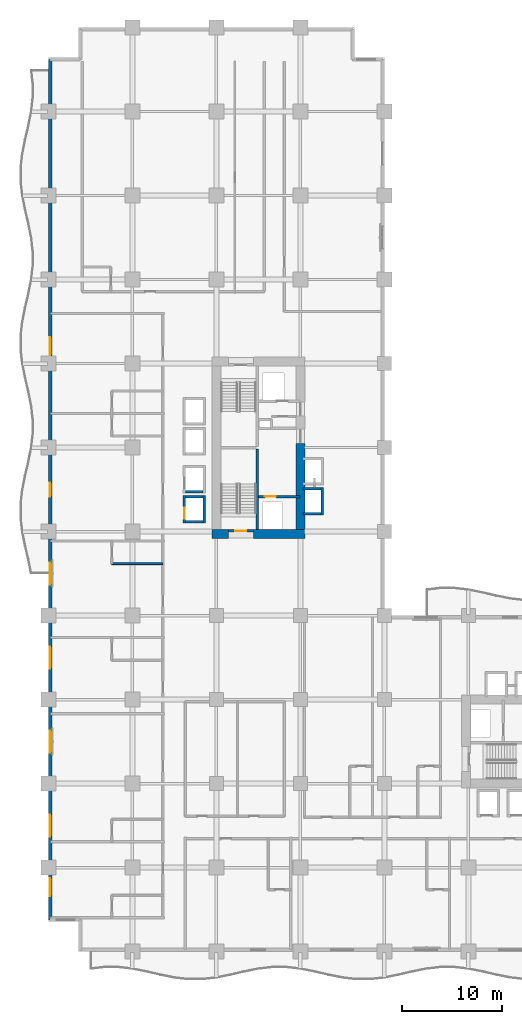
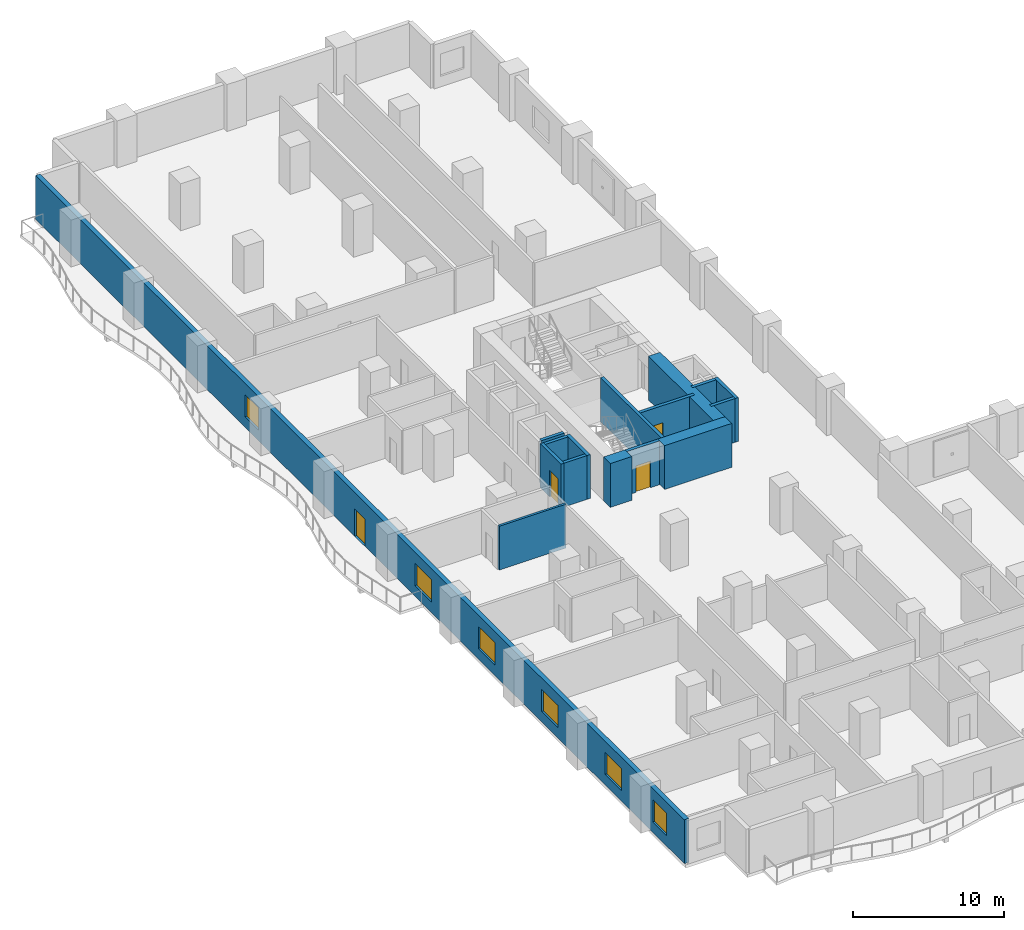
# One storey, part 9 of 20: 16 walls, 6 windows, 4 doors, 10 openings.
"""IFC4 building model written with IfcOpenShell, lengths in metres."""

from ifc_helpers import new_model, si_unit, direction, frame, frame_2d, origin, place, context, subcontext, project, spatial, rectangle, extrude, material, layer, layer_set, type_object, element, fill, save


model = new_model("IFC4")

# Units and contexts
model_context = context("Model", 3, precision=1e-05, world=origin(), true_north=direction((0.0, 1.0)))
body_context = subcontext(model_context, "Body", "Model", "MODEL_VIEW")
ifc_project = project(units=[si_unit("LENGTHUNIT", "METRE"), si_unit("AREAUNIT", "SQUARE_METRE"), si_unit("VOLUMEUNIT", "CUBIC_METRE"), si_unit("PLANEANGLEUNIT", "RADIAN"), si_unit("MASSUNIT", "GRAM", prefix="KILO")], contexts=[model_context])

# Site, building, storey
site_placement = place(None, origin())
site = spatial("IfcSite", under=ifc_project, at=site_placement, CompositionType="ELEMENT")
building_placement = place(site_placement, origin())
building = spatial("IfcBuilding", under=site, at=building_placement, Name="Koriwani Terraces Tower", CompositionType="ELEMENT")
storey_placement = place(building_placement, frame((0.0, 0.0, 66.199951171875)))
storey = spatial("IfcBuildingStorey", under=building, at=storey_placement, Name="L15", CompositionType="ELEMENT", Elevation=66.199951171875)

# Walls
ifc_material_1 = material(Name="Concrete C60/75", Category="concrete")
ifc_layer_1 = layer(ifc_material_1, 0.89990234375, Name="Concrete C60/75")
ifc_layer_set_1 = layer_set([ifc_layer_1], Name="Concrete C60/75")
wall_type_1 = type_object("IfcWallType", Name="WALL_CORE_RC_900", PredefinedType="SHEAR", material=ifc_layer_set_1)
wall_1_placement = place(storey_placement, frame((16.35009765625, 41.75, 0.0), z_axis=(0.0, 0.0, 1.0), x_axis=(1.0, 0.0, 0.0)))
element("IfcWall", 1, at=wall_1_placement, inside=storey, type_object=wall_type_1, Name="L15 West Split Core Shear Wall S1", PredefinedType="SHEAR", context=body_context, shape_type="SweptSolid", body=[
    extrude(rectangle(XDim=1.64990234375, YDim=0.89990234375, at=frame_2d((0.824951171875, 0.0))), origin(), (0.0, 0.0, 1.0), 3.550048828125),
])
wall_2_placement = place(storey_placement, frame((20.5, 41.75, 0.0), z_axis=(0.0, 0.0, 1.0), x_axis=(1.0, 0.0, 0.0)))
element("IfcWall", 2, at=wall_2_placement, inside=storey, type_object=wall_type_1, Name="L15 West Split Core Shear Wall S2", PredefinedType="SHEAR", context=body_context, shape_type="SweptSolid", body=[
    extrude(rectangle(XDim=5.14990234375, YDim=0.89990234375, at=frame_2d((2.574951171875, 0.0))), origin(), (0.0, 0.0, 1.0), 3.550048828125),
])
wall_3_placement = place(storey_placement, frame((25.199951171875, 42.199951171875, 0.0), z_axis=(0.0, 0.0, 1.0), x_axis=(0.0, 1.0, 0.0)))
element("IfcWall", 3, at=wall_3_placement, inside=storey, type_object=wall_type_1, Name="L15 West Split Core Shear Wall E1", PredefinedType="SHEAR", context=body_context, shape_type="SweptSolid", body=[
    extrude(rectangle(XDim=8.60009765625, YDim=0.89990234375, at=frame_2d((4.300048828125, 0.0))), origin(), (0.0, 0.0, 1.0), 3.550048828125),
])

# Wall, openings, door, windows
ifc_material_2 = material(Name="Concrete C50/60", Category="concrete")
ifc_layer_2 = layer(ifc_material_2, 0.35009765625, Name="Concrete C50/60")
ifc_layer_set_2 = layer_set([ifc_layer_2], Name="Concrete C50/60")
wall_type_2 = type_object("IfcWallType", Name="WALL_EXT_BRUTALIST_350", PredefinedType="STANDARD", material=ifc_layer_set_2)
wall_4_placement = place(storey_placement, frame((0.175048828125, 3.175048828125, 0.0), z_axis=(0.0, 0.0, 1.0), x_axis=(0.0, 1.0, 0.0)))
wall_4 = element("IfcWall", 4, at=wall_4_placement, inside=storey, type_object=wall_type_2, Name="L15 Fair-Faced Brutalist Exterior Wall (W)", PredefinedType="STANDARD", context=body_context, shape_type="SweptSolid", body=[
    extrude(rectangle(XDim=86.050048828125, YDim=0.35009765625, at=frame_2d((43.02490234375, 0.0))), origin(), (0.0, 0.0, 1.0), 3.550048828125),
])
opening_1_placement = place(wall_4_placement, frame((42.324951171875, 0.0, 0.0)))
opening_1 = element("IfcOpeningElement", 5, at=opening_1_placement, cuts=wall_4, Name="Opening D-09", PredefinedType="OPENING", context=body_context, shape_type="SweptSolid", body=[
    extrude(rectangle(XDim=1.39990234375, YDim=2.199951171875, at=frame_2d((0.699951171875, 1.10009765625))), frame((0.0, 0.18505859375, 0.0), z_axis=(0.0, -1.0, 0.0), x_axis=(1.0, 0.0, 0.0)), (0.0, 0.0, 1.0), 0.3701171875),
])
opening_2_placement = place(wall_4_placement, frame((8.324951171875, 0.0, 0.85009765625)))
opening_2 = element("IfcOpeningElement", 6, at=opening_2_placement, cuts=wall_4, Name="Opening W-01", PredefinedType="OPENING", context=body_context, shape_type="SweptSolid", body=[
    extrude(rectangle(XDim=2.199951171875, YDim=1.800048828125, at=frame_2d((1.10009765625, 0.89990234375))), frame((0.0, 0.18505859375, 0.0), z_axis=(0.0, -1.0, 0.0), x_axis=(1.0, 0.0, 0.0)), (0.0, 0.0, 1.0), 0.3701171875),
])
opening_3_placement = place(wall_4_placement, frame((16.72509765625, 0.0, 0.85009765625)))
opening_3 = element("IfcOpeningElement", 7, at=opening_3_placement, cuts=wall_4, Name="Opening W-01", PredefinedType="OPENING", context=body_context, shape_type="SweptSolid", body=[
    extrude(rectangle(XDim=2.199951171875, YDim=1.800048828125, at=frame_2d((1.10009765625, 0.89990234375))), frame((0.0, 0.18505859375, 0.0), z_axis=(0.0, -1.0, 0.0), x_axis=(1.0, 0.0, 0.0)), (0.0, 0.0, 1.0), 0.3701171875),
])
opening_4_placement = place(wall_4_placement, frame((25.125, 0.0, 0.85009765625)))
opening_4 = element("IfcOpeningElement", 8, at=opening_4_placement, cuts=wall_4, Name="Opening W-01", PredefinedType="OPENING", context=body_context, shape_type="SweptSolid", body=[
    extrude(rectangle(XDim=2.199951171875, YDim=1.800048828125, at=frame_2d((1.10009765625, 0.89990234375))), frame((0.0, 0.18505859375, 0.0), z_axis=(0.0, -1.0, 0.0), x_axis=(1.0, 0.0, 0.0)), (0.0, 0.0, 1.0), 0.3701171875),
])
opening_5_placement = place(wall_4_placement, frame((33.52490234375, 0.0, 0.85009765625)))
opening_5 = element("IfcOpeningElement", 9, at=opening_5_placement, cuts=wall_4, Name="Opening W-01", PredefinedType="OPENING", context=body_context, shape_type="SweptSolid", body=[
    extrude(rectangle(XDim=2.199951171875, YDim=1.800048828125, at=frame_2d((1.10009765625, 0.89990234375))), frame((0.0, 0.18505859375, 0.0), z_axis=(0.0, -1.0, 0.0), x_axis=(1.0, 0.0, 0.0)), (0.0, 0.0, 1.0), 0.3701171875),
])
opening_6_placement = place(wall_4_placement, frame((2.375, 0.0, 0.85009765625)))
opening_6 = element("IfcOpeningElement", 10, at=opening_6_placement, cuts=wall_4, Name="Opening W-04", PredefinedType="OPENING", context=body_context, shape_type="SweptSolid", body=[
    extrude(rectangle(XDim=1.800048828125, YDim=1.800048828125, at=frame_2d((0.89990234375, 0.89990234375))), frame((0.0, 0.18505859375, 0.0), z_axis=(0.0, -1.0, 0.0), x_axis=(1.0, 0.0, 0.0)), (0.0, 0.0, 1.0), 0.3701171875),
])
opening_7_placement = place(wall_4_placement, frame((56.47509765625, 0.0, 0.85009765625)))
opening_7 = element("IfcOpeningElement", 11, at=opening_7_placement, cuts=wall_4, Name="Opening W-04", PredefinedType="OPENING", context=body_context, shape_type="SweptSolid", body=[
    extrude(rectangle(XDim=1.800048828125, YDim=1.800048828125, at=frame_2d((0.89990234375, 0.89990234375))), frame((0.0, 0.18505859375, 0.0), z_axis=(0.0, -1.0, 0.0), x_axis=(1.0, 0.0, 0.0)), (0.0, 0.0, 1.0), 0.3701171875),
])
ifc_material_3 = material(Name="Anodised Bronze Aluminium", Category="aluminium")
door_type_1 = type_object("IfcDoorType", Name="DOOR_BALCONY_GLAZED_1400X2200", OperationType="NOTDEFINED", PredefinedType="DOOR", material=ifc_material_3)
door_1_placement = place(opening_1_placement, origin())
door_1 = element("IfcDoor", 12, at=door_1_placement, inside=storey, type_object=door_type_1, Name="L15 West Balcony Glazed Door", OperationType="SINGLE_SWING_LEFT", OverallHeight=2.199951171875, OverallWidth=1.39990234375, PredefinedType="DOOR", context=body_context, shape_type="SweptSolid", body=[
    extrude(rectangle(XDim=1.39990234375, YDim=2.199951171875, at=frame_2d((0.699951171875, 1.10009765625))), frame((0.0, 0.02490234375, 0.0), z_axis=(0.0, -1.0, 0.0), x_axis=(1.0, 0.0, 0.0)), (0.0, 0.0, 1.0), 0.050048828125),
])
fill(opening_1, door_1)
ifc_material_4 = material(Name="Tempered Laminated Low-E Glass", Category="glass")
window_type_1 = type_object("IfcWindowType", Name="WIN_HOTEL_STD_2200X1800", PartitioningType="DOUBLE_PANEL_VERTICAL", PredefinedType="WINDOW", material=ifc_material_4)
window_1_placement = place(opening_2_placement, origin())
window_1 = element("IfcWindow", 13, at=window_1_placement, inside=storey, type_object=window_type_1, Name="L15 Exterior Window (W-3)", OverallHeight=1.800048828125, OverallWidth=2.199951171875, PartitioningType="SINGLE_PANEL", PredefinedType="WINDOW", context=body_context, shape_type="SweptSolid", body=[
    extrude(rectangle(XDim=2.199951171875, YDim=1.800048828125, at=frame_2d((1.10009765625, 0.89990234375))), frame((0.0, 0.030029296875, 0.0), z_axis=(0.0, -1.0, 0.0), x_axis=(1.0, 0.0, 0.0)), (0.0, 0.0, 1.0), 0.06005859375),
])
fill(opening_2, window_1)
window_2_placement = place(opening_3_placement, origin())
window_2 = element("IfcWindow", 14, at=window_2_placement, inside=storey, type_object=window_type_1, Name="L15 Exterior Window (W-6)", OverallHeight=1.800048828125, OverallWidth=2.199951171875, PartitioningType="SINGLE_PANEL", PredefinedType="WINDOW", context=body_context, shape_type="SweptSolid", body=[
    extrude(rectangle(XDim=2.199951171875, YDim=1.800048828125, at=frame_2d((1.10009765625, 0.89990234375))), frame((0.0, 0.030029296875, 0.0), z_axis=(0.0, -1.0, 0.0), x_axis=(1.0, 0.0, 0.0)), (0.0, 0.0, 1.0), 0.06005859375),
])
fill(opening_3, window_2)
window_3_placement = place(opening_4_placement, origin())
window_3 = element("IfcWindow", 15, at=window_3_placement, inside=storey, type_object=window_type_1, Name="L15 Exterior Window (W-9)", OverallHeight=1.800048828125, OverallWidth=2.199951171875, PartitioningType="SINGLE_PANEL", PredefinedType="WINDOW", context=body_context, shape_type="SweptSolid", body=[
    extrude(rectangle(XDim=2.199951171875, YDim=1.800048828125, at=frame_2d((1.10009765625, 0.89990234375))), frame((0.0, 0.030029296875, 0.0), z_axis=(0.0, -1.0, 0.0), x_axis=(1.0, 0.0, 0.0)), (0.0, 0.0, 1.0), 0.06005859375),
])
fill(opening_4, window_3)
window_4_placement = place(opening_5_placement, origin())
window_4 = element("IfcWindow", 16, at=window_4_placement, inside=storey, type_object=window_type_1, Name="L15 Exterior Window (W-12)", OverallHeight=1.800048828125, OverallWidth=2.199951171875, PartitioningType="SINGLE_PANEL", PredefinedType="WINDOW", context=body_context, shape_type="SweptSolid", body=[
    extrude(rectangle(XDim=2.199951171875, YDim=1.800048828125, at=frame_2d((1.10009765625, 0.89990234375))), frame((0.0, 0.030029296875, 0.0), z_axis=(0.0, -1.0, 0.0), x_axis=(1.0, 0.0, 0.0)), (0.0, 0.0, 1.0), 0.06005859375),
])
fill(opening_5, window_4)
window_type_2 = type_object("IfcWindowType", Name="WIN_RES_BED_1800X1800", PartitioningType="DOUBLE_PANEL_VERTICAL", PredefinedType="WINDOW", material=ifc_material_4)
window_5_placement = place(opening_6_placement, origin())
window_5 = element("IfcWindow", 17, at=window_5_placement, inside=storey, type_object=window_type_2, Name="L15 Exterior Window (W-R35)", OverallHeight=1.800048828125, OverallWidth=1.800048828125, PartitioningType="SINGLE_PANEL", PredefinedType="WINDOW", context=body_context, shape_type="SweptSolid", body=[
    extrude(rectangle(XDim=1.800048828125, YDim=1.800048828125, at=frame_2d((0.89990234375, 0.89990234375))), frame((0.0, 0.030029296875, 0.0), z_axis=(0.0, -1.0, 0.0), x_axis=(1.0, 0.0, 0.0)), (0.0, 0.0, 1.0), 0.06005859375),
])
fill(opening_6, window_5)
window_6_placement = place(opening_7_placement, origin())
window_6 = element("IfcWindow", 18, at=window_6_placement, inside=storey, type_object=window_type_2, Name="L15 Exterior Window (W-R45)", OverallHeight=1.800048828125, OverallWidth=1.800048828125, PartitioningType="SINGLE_PANEL", PredefinedType="WINDOW", context=body_context, shape_type="SweptSolid", body=[
    extrude(rectangle(XDim=1.800048828125, YDim=1.800048828125, at=frame_2d((0.89990234375, 0.89990234375))), frame((0.0, 0.030029296875, 0.0), z_axis=(0.0, -1.0, 0.0), x_axis=(1.0, 0.0, 0.0)), (0.0, 0.0, 1.0), 0.06005859375),
])
fill(opening_7, window_6)

# Walls
ifc_material_5 = material(Name="Fire-Rated Acoustic Gypsum Partition", Category="masonry")
ifc_layer_3 = layer(ifc_material_5, 0.179931640625, Name="Fire-Rated Acoustic Gypsum Partition")
ifc_layer_set_3 = layer_set([ifc_layer_3], Name="Fire-Rated Acoustic Gypsum Partition")
wall_type_3 = type_object("IfcWallType", Name="WALL_PLUMBING_180", PredefinedType="PLUMBINGWALL", material=ifc_layer_set_3)
wall_5_placement = place(storey_placement, frame((6.35009765625, 38.800048828125, 0.0), z_axis=(0.0, 0.0, 1.0), x_axis=(1.0, 0.0, 0.0)))
element("IfcWall", 19, at=wall_5_placement, inside=storey, type_object=wall_type_3, Name="L15 Interior Wall WBTH2-L15-NW-3", PredefinedType="PLUMBINGWALL", context=body_context, shape_type="SweptSolid", body=[
    extrude(rectangle(XDim=5.099853515625, YDim=0.179931640625, at=frame_2d((2.5498046875, 0.0))), origin(), (0.0, 0.0, 1.0), 3.550048828125),
])
ifc_material_6 = material(Name="Concrete C40/50", Category="concrete")
ifc_layer_4 = layer(ifc_material_6, 0.25, Name="Concrete C40/50")
ifc_layer_set_4 = layer_set([ifc_layer_4], Name="Concrete C40/50")
wall_type_4 = type_object("IfcWallType", Name="WALL_SHAFT_RATED_250", PredefinedType="SOLIDWALL", material=ifc_layer_set_4)
wall_6_placement = place(storey_placement, frame((20.875, 42.199951171875, 0.0), z_axis=(0.0, 0.0, 1.0), x_axis=(0.0, 1.0, 0.0)))
element("IfcWall", 20, at=wall_6_placement, inside=storey, type_object=wall_type_4, Name="L15 West Split Core Web Wall MID1", PredefinedType="SOLIDWALL", context=body_context, shape_type="SweptSolid", body=[
    extrude(rectangle(XDim=8.050048828125, YDim=0.25, at=frame_2d((4.02490234375, 0.0))), origin(), (0.0, 0.0, 1.0), 3.550048828125),
])

# Wall, opening, door
wall_7_placement = place(storey_placement, frame((18.0, 42.074951171875, 0.0), z_axis=(0.0, 0.0, 1.0), x_axis=(1.0, 0.0, 0.0)))
wall_7 = element("IfcWall", 21, at=wall_7_placement, inside=storey, type_object=wall_type_4, Name="L15 Interior Wall WIN-CW-L15-STS", PredefinedType="SOLIDWALL", context=body_context, shape_type="SweptSolid", body=[
    extrude(rectangle(XDim=2.5, YDim=0.25, at=frame_2d((1.25, 0.0))), origin(), (0.0, 0.0, 1.0), 3.550048828125),
])
opening_8_placement = place(wall_7_placement, frame((0.699951171875, 0.0, 0.0)))
opening_8 = element("IfcOpeningElement", 22, at=opening_8_placement, cuts=wall_7, Name="Opening D-03", PredefinedType="OPENING", context=body_context, shape_type="SweptSolid", body=[
    extrude(rectangle(XDim=1.10009765625, YDim=2.14990234375, at=frame_2d((0.550048828125, 1.074951171875))), frame((0.0, 0.135009765625, 0.0), z_axis=(0.0, -1.0, 0.0), x_axis=(1.0, 0.0, 0.0)), (0.0, 0.0, 1.0), 0.27001953125),
])
ifc_material_7 = material(Name="Steel ASTM A572 Grade 50", Category="steel")
door_type_2 = type_object("IfcDoorType", Name="DOOR_STAIR_FIRE_1100X2150", OperationType="NOTDEFINED", PredefinedType="DOOR", material=ifc_material_7)
door_2_placement = place(opening_8_placement, origin())
door_2 = element("IfcDoor", 23, at=door_2_placement, inside=storey, type_object=door_type_2, Name="L15 Exit Stair ST-W1 Door", OperationType="SINGLE_SWING_LEFT", OverallHeight=2.14990234375, OverallWidth=1.10009765625, PredefinedType="DOOR", context=body_context, shape_type="SweptSolid", body=[
    extrude(rectangle(XDim=1.10009765625, YDim=2.14990234375, at=frame_2d((0.550048828125, 1.074951171875))), frame((0.0, 0.02490234375, 0.0), z_axis=(0.0, -1.0, 0.0), x_axis=(1.0, 0.0, 0.0)), (0.0, 0.0, 1.0), 0.050048828125),
])
fill(opening_8, door_2)

wall_8_placement = place(storey_placement, frame((21.0, 45.5, 0.0), z_axis=(0.0, 0.0, 1.0), x_axis=(1.0, 0.0, 0.0)))
wall_8 = element("IfcWall", 24, at=wall_8_placement, inside=storey, type_object=wall_type_4, Name="L15 Interior Wall WIN-CW-L15-FE", PredefinedType="SOLIDWALL", context=body_context, shape_type="SweptSolid", body=[
    extrude(rectangle(XDim=4.14990234375, YDim=0.25, at=frame_2d((2.074951171875, 0.0))), origin(), (0.0, 0.0, 1.0), 3.550048828125),
])
opening_9_placement = place(wall_8_placement, frame((0.64990234375, 0.0, 0.0)))
opening_9 = element("IfcOpeningElement", 25, at=opening_9_placement, cuts=wall_8, Name="Opening LD-01", PredefinedType="OPENING", context=body_context, shape_type="SweptSolid", body=[
    extrude(rectangle(XDim=1.10009765625, YDim=2.14990234375, at=frame_2d((0.550048828125, 1.074951171875))), frame((0.0, 0.135009765625, 0.0), z_axis=(0.0, -1.0, 0.0), x_axis=(1.0, 0.0, 0.0)), (0.0, 0.0, 1.0), 0.27001953125),
])
door_type_3 = type_object("IfcDoorType", Name="DOOR_LIFT_LANDING_1100X2200", OperationType="NOTDEFINED", PredefinedType="DOOR", material=ifc_material_7)
door_3_placement = place(opening_9_placement, origin())
door_3 = element("IfcDoor", 26, at=door_3_placement, inside=storey, type_object=door_type_3, Name="L15 Firefighting Lift FE-01 Landing Door", OperationType="SLIDING_TO_LEFT", OverallHeight=2.14990234375, OverallWidth=1.10009765625, PredefinedType="DOOR", context=body_context, shape_type="SweptSolid", body=[
    extrude(rectangle(XDim=1.10009765625, YDim=2.14990234375, at=frame_2d((0.550048828125, 1.074951171875))), frame((0.0, 0.02490234375, 0.0), z_axis=(0.0, -1.0, 0.0), x_axis=(1.0, 0.0, 0.0)), (0.0, 0.0, 1.0), 0.050048828125),
])
fill(opening_9, door_3)

wall_9_placement = place(storey_placement, frame((13.60009765625, 42.875, 0.0), z_axis=(0.0, 0.0, 1.0), x_axis=(0.0, 1.0, 0.0)))
wall_9 = element("IfcWall", 27, at=wall_9_placement, inside=storey, type_object=wall_type_4, Name="L15 Interior Wall WIN-LF-PE-L1-L15-F", PredefinedType="SOLIDWALL", context=body_context, shape_type="SweptSolid", body=[
    extrude(rectangle(XDim=2.75, YDim=0.25, at=frame_2d((1.375, 0.0))), origin(), (0.0, 0.0, 1.0), 3.550048828125),
])
opening_10_placement = place(wall_9_placement, frame((0.39990234375, 0.0, 0.0)))
opening_10 = element("IfcOpeningElement", 28, at=opening_10_placement, cuts=wall_9, Name="Opening LD-01", PredefinedType="OPENING", context=body_context, shape_type="SweptSolid", body=[
    extrude(rectangle(XDim=1.10009765625, YDim=2.14990234375, at=frame_2d((0.550048828125, 1.074951171875))), frame((0.0, 0.135009765625, 0.0), z_axis=(0.0, -1.0, 0.0), x_axis=(1.0, 0.0, 0.0)), (0.0, 0.0, 1.0), 0.27001953125),
])
door_4_placement = place(opening_10_placement, origin())
door_4 = element("IfcDoor", 29, at=door_4_placement, inside=storey, type_object=door_type_3, Name="L15 Passenger Lift PE-L1 Landing Door", OperationType="SLIDING_TO_LEFT", OverallHeight=2.14990234375, OverallWidth=1.10009765625, PredefinedType="DOOR", context=body_context, shape_type="SweptSolid", body=[
    extrude(rectangle(XDim=1.10009765625, YDim=2.14990234375, at=frame_2d((0.550048828125, 1.074951171875))), frame((0.0, 0.02490234375, 0.0), z_axis=(0.0, -1.0, 0.0), x_axis=(1.0, 0.0, 0.0)), (0.0, 0.0, 1.0), 0.050048828125),
])
fill(opening_10, door_4)

# Walls
wall_10_placement = place(storey_placement, frame((15.60009765625, 42.875, 0.0), z_axis=(0.0, 0.0, 1.0), x_axis=(0.0, 1.0, 0.0)))
element("IfcWall", 30, at=wall_10_placement, inside=storey, type_object=wall_type_4, Name="L15 Interior Wall WIN-LF-PE-L1-L15-B", PredefinedType="SOLIDWALL", context=body_context, shape_type="SweptSolid", body=[
    extrude(rectangle(XDim=2.75, YDim=0.25, at=frame_2d((1.375, 0.0))), origin(), (0.0, 0.0, 1.0), 3.550048828125),
])
for number, where, z_axis, x_axis, name in (
    (31, (13.72509765625, 43.0, 0.0), (0.0, 0.0, 1.0), (1.0, 0.0, 0.0), "L15 Interior Wall WIN-LF-PE-L1-L15-S"),
    (32, (13.72509765625, 45.5, 0.0), (0.0, 0.0, 1.0), (1.0, 0.0, 0.0), "L15 Interior Wall WIN-LF-PE-L1-L15-N"),
    (33, (13.72509765625, 46.0, 0.0), (0.0, 0.0, 1.0), (1.0, 0.0, 0.0), "L15 Interior Wall WIN-LF-PE-L2-L15-S"),
):
    element("IfcWall", number, at=place(storey_placement, frame(where, z_axis=z_axis, x_axis=x_axis)), inside=storey, type_object=wall_type_4, Name=name, PredefinedType="SOLIDWALL", context=body_context, shape_type="SweptSolid", body=[
        extrude(rectangle(XDim=1.75, YDim=0.25, at=frame_2d((0.875, 0.0))), origin(), (0.0, 0.0, 1.0), 3.550048828125),
    ])
wall_11_placement = place(storey_placement, frame((27.39990234375, 43.675048828125, 0.0), z_axis=(0.0, 0.0, 1.0), x_axis=(0.0, 1.0, 0.0)))
element("IfcWall", 34, at=wall_11_placement, inside=storey, type_object=wall_type_4, Name="L15 Interior Wall WIN-LF-PE-H1-L15-F", PredefinedType="SOLIDWALL", context=body_context, shape_type="SweptSolid", body=[
    extrude(rectangle(XDim=2.75, YDim=0.25, at=frame_2d((1.375, 0.0))), origin(), (0.0, 0.0, 1.0), 3.550048828125),
])
for number, where, z_axis, x_axis, name in (
    (35, (25.449951171875, 43.800048828125, 0.0), (0.0, 0.0, 1.0), (1.0, 0.0, 0.0), "L15 Interior Wall WIN-LF-PE-H1-L15-S"),
    (36, (25.449951171875, 46.300048828125, 0.0), (0.0, 0.0, 1.0), (1.0, 0.0, 0.0), "L15 Interior Wall WIN-LF-PE-H1-L15-N"),
):
    element("IfcWall", number, at=place(storey_placement, frame(where, z_axis=z_axis, x_axis=x_axis)), inside=storey, type_object=wall_type_4, Name=name, PredefinedType="SOLIDWALL", context=body_context, shape_type="SweptSolid", body=[
        extrude(rectangle(XDim=1.824951171875, YDim=0.25, at=frame_2d((0.91259765625, 0.0))), origin(), (0.0, 0.0, 1.0), 3.550048828125),
    ])

save(model, "model.ifc")
